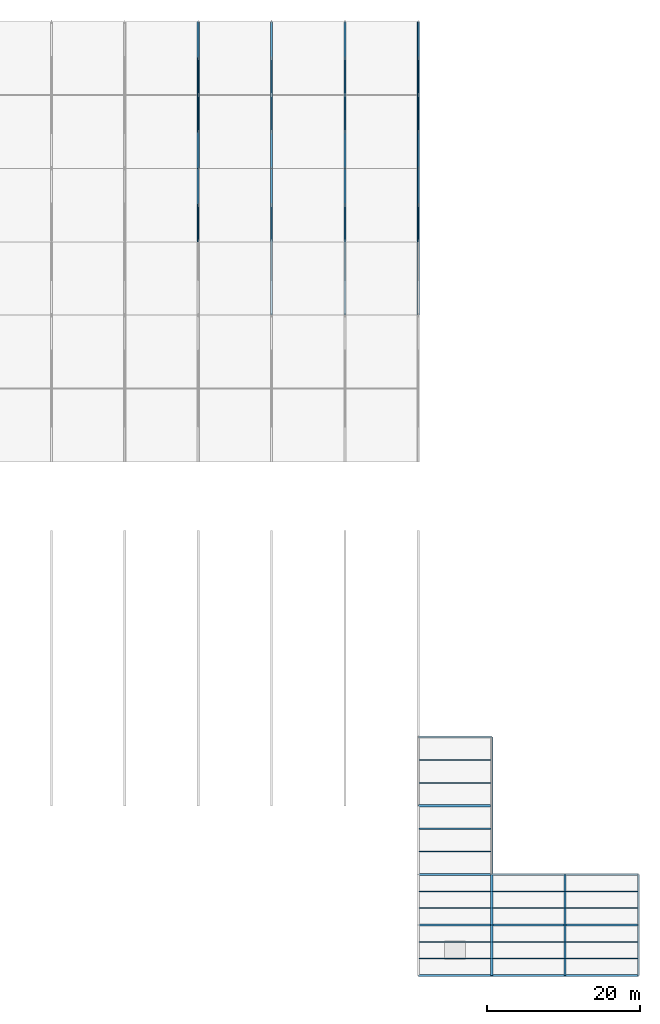
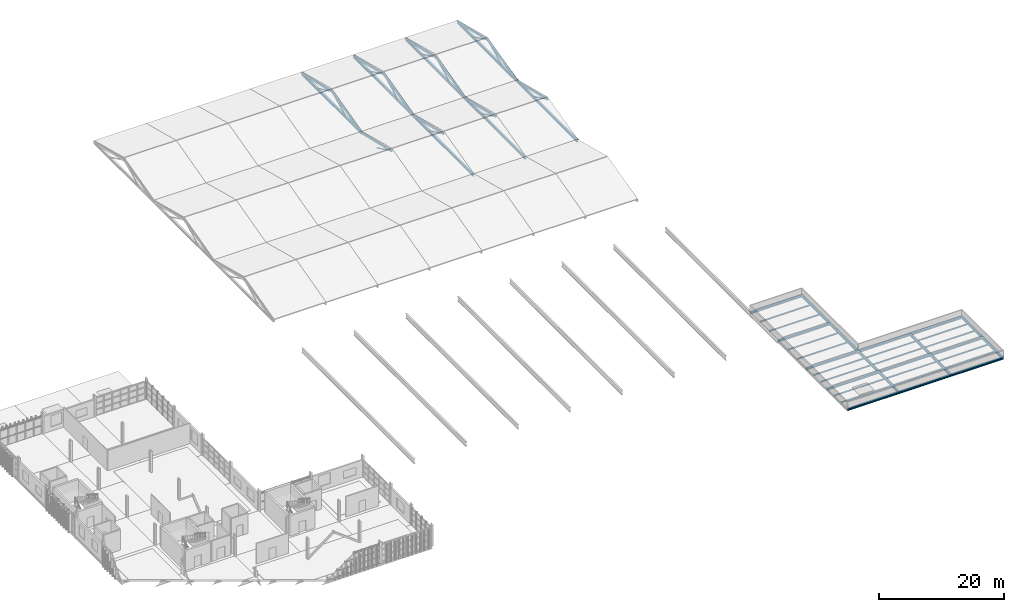
# One storey, part 16 of 52: 42 beams, 24 members.
"""IFC4 building model written with IfcOpenShell, lengths in metres."""

from ifc_helpers import new_model, si_unit, direction, frame, origin, origin_2d, place, context, subcontext, project, spatial, hollow_rectangle, hollow_circle, i_section, extrude, material, material_profile, profile_set, type_object, element, save


model = new_model("IFC4")

# Units and contexts
model_context = context("Model", 3, precision=1e-05, world=origin(), true_north=direction((0.0, 1.0)))
body_context = subcontext(model_context, "Body", "Model", "MODEL_VIEW")
ifc_project = project(units=[si_unit("LENGTHUNIT", "METRE"), si_unit("AREAUNIT", "SQUARE_METRE"), si_unit("VOLUMEUNIT", "CUBIC_METRE"), si_unit("PLANEANGLEUNIT", "RADIAN"), si_unit("MASSUNIT", "GRAM", prefix="KILO")], contexts=[model_context])

# Site, building, storey
site_placement = place(None, origin())
site = spatial("IfcSite", under=ifc_project, at=site_placement, CompositionType="ELEMENT")
building_placement = place(site_placement, origin())
building = spatial("IfcBuilding", under=site, at=building_placement, Name="Zarnetskaya Central Station", CompositionType="ELEMENT")
storey_placement = place(building_placement, frame((0.0, 0.0, 14.39990234375)))
storey = spatial("IfcBuildingStorey", under=building, at=storey_placement, Name="L03", CompositionType="ELEMENT", Elevation=14.39990234375)

# Beams
ifc_material = material(Name="Steel S355", Category="steel")
ifc_material_profile_1 = material_profile(ifc_material, i_section(OverallWidth=0.135009765625, OverallDepth=0.27001953125, WebThickness=0.006591796875, FlangeThickness=0.01025390625, FilletRadius=0.014892578125, at=origin_2d()), Name="IPE 270")
ifc_profile_set_1 = profile_set([ifc_material_profile_1], Name="Steel S355")
beam_type_1 = type_object("IfcBeamType", Name="BM-JST-270", PredefinedType="JOIST", material=ifc_profile_set_1)
for number, where, z_axis, x_axis, name in (
    (1, (124.8798828125, 2.199951171875, -0.344970703125), (1.0, 0.0, 0.0), (0.0, 1.0, 0.0), "Secondary floor beam SEC-L03-Z1419-PQ-12-1"),
    (2, (124.8798828125, 4.39990234375, -0.344970703125), (1.0, 0.0, 0.0), (0.0, 1.0, 0.0), "Secondary floor beam SEC-L03-Z1419-PQ-12-2"),
    (3, (124.8798828125, 8.800048828125, -0.344970703125), (1.0, 0.0, 0.0), (0.0, 1.0, 0.0), "Secondary floor beam SEC-L03-Z1419-PQ-23-1"),
    (4, (124.8798828125, 11.0, -0.344970703125), (1.0, 0.0, 0.0), (0.0, 1.0, 0.0), "Secondary floor beam SEC-L03-Z1419-PQ-23-2"),
    (5, (124.8798828125, 16.199951171875, -0.344970703125), (1.0, 0.0, 0.0), (0.0, 1.0, 0.0), "Secondary floor beam SEC-L03-Z1419-PQ-34-1"),
    (6, (124.8798828125, 19.199951171875, -0.344970703125), (1.0, 0.0, 0.0), (0.0, 1.0, 0.0), "Secondary floor beam SEC-L03-Z1419-PQ-34-2"),
    (7, (124.8798828125, 25.199951171875, -0.344970703125), (1.0, 0.0, 0.0), (0.0, 1.0, 0.0), "Secondary floor beam SEC-L03-Z1419-PQ-45-1"),
    (8, (124.8798828125, 28.199951171875, -0.344970703125), (1.0, 0.0, 0.0), (0.0, 1.0, 0.0), "Secondary floor beam SEC-L03-Z1419-PQ-45-2"),
):
    element("IfcBeam", number, at=place(storey_placement, frame(where, z_axis=z_axis, x_axis=x_axis)), inside=storey, type_object=beam_type_1, Name=name, PredefinedType="JOIST", context=body_context, shape_type="SweptSolid", body=[
        extrude(i_section(OverallWidth=0.135009765625, OverallDepth=0.27001953125, WebThickness=0.006591796875, FlangeThickness=0.01025390625, FilletRadius=0.014892578125, at=origin_2d()), origin(), (0.0, 0.0, 1.0), 9.440185546875),
    ])
for number, where, z_axis, x_axis, name in (
    (9, (134.47998046875, 2.199951171875, -0.344970703125), (1.0, 0.0, 0.0), (0.0, 1.0, 0.0), "Secondary floor beam SEC-L03-Z1419-QR-12-1"),
    (10, (134.47998046875, 4.39990234375, -0.344970703125), (1.0, 0.0, 0.0), (0.0, 1.0, 0.0), "Secondary floor beam SEC-L03-Z1419-QR-12-2"),
    (11, (134.47998046875, 8.800048828125, -0.344970703125), (1.0, 0.0, 0.0), (0.0, 1.0, 0.0), "Secondary floor beam SEC-L03-Z1419-QR-23-1"),
    (12, (134.47998046875, 11.0, -0.344970703125), (1.0, 0.0, 0.0), (0.0, 1.0, 0.0), "Secondary floor beam SEC-L03-Z1419-QR-23-2"),
    (13, (144.080078125, 2.199951171875, -0.344970703125), (1.0, 0.0, 0.0), (0.0, 1.0, 0.0), "Secondary floor beam SEC-L03-Z1419-RS-12-1"),
    (14, (144.080078125, 4.39990234375, -0.344970703125), (1.0, 0.0, 0.0), (0.0, 1.0, 0.0), "Secondary floor beam SEC-L03-Z1419-RS-12-2"),
    (15, (144.080078125, 8.800048828125, -0.344970703125), (1.0, 0.0, 0.0), (0.0, 1.0, 0.0), "Secondary floor beam SEC-L03-Z1419-RS-23-1"),
    (16, (144.080078125, 11.0, -0.344970703125), (1.0, 0.0, 0.0), (0.0, 1.0, 0.0), "Secondary floor beam SEC-L03-Z1419-RS-23-2"),
):
    element("IfcBeam", number, at=place(storey_placement, frame(where, z_axis=z_axis, x_axis=x_axis)), inside=storey, type_object=beam_type_1, Name=name, PredefinedType="JOIST", context=body_context, shape_type="SweptSolid", body=[
        extrude(i_section(OverallWidth=0.135009765625, OverallDepth=0.27001953125, WebThickness=0.006591796875, FlangeThickness=0.01025390625, FilletRadius=0.014892578125, at=origin_2d()), origin(), (0.0, 0.0, 1.0), 9.43994140625),
    ])
ifc_material_profile_2 = material_profile(ifc_material, i_section(OverallWidth=0.300048828125, OverallDepth=0.35009765625, WebThickness=0.010009765625, FlangeThickness=0.017578125, FilletRadius=0.027099609375, at=origin_2d()), Name="HEA 360")
ifc_profile_set_2 = profile_set([ifc_material_profile_2], Name="Steel S355")
beam_type_2 = type_object("IfcBeamType", Name="BM-SPN-EAVE", PredefinedType="SPANDREL", material=ifc_profile_set_2)
beam_1_placement = place(storey_placement, frame((124.800048828125, 0.0, -0.385009765625), z_axis=(1.0, 0.0, 0.0), x_axis=(0.0, 1.0, 0.0)))
element("IfcBeam", 17, at=beam_1_placement, inside=storey, type_object=beam_type_2, Name="Grid girder GX-L03-1-PQ", PredefinedType="SPANDREL", context=body_context, shape_type="SweptSolid", body=[
    extrude(i_section(OverallWidth=0.300048828125, OverallDepth=0.35009765625, WebThickness=0.010009765625, FlangeThickness=0.017578125, FilletRadius=0.027099609375, at=origin_2d()), origin(), (0.0, 0.0, 1.0), 9.599853515625),
])
for number, where, z_axis, x_axis, name in (
    (18, (134.39990234375, 0.0, -0.385009765625), (1.0, 0.0, 0.0), (0.0, 1.0, 0.0), "Grid girder GX-L03-1-QR"),
    (19, (144.0, 0.0, -0.385009765625), (1.0, 0.0, 0.0), (0.0, 1.0, 0.0), "Grid girder GX-L03-1-RS"),
):
    element("IfcBeam", number, at=place(storey_placement, frame(where, z_axis=z_axis, x_axis=x_axis)), inside=storey, type_object=beam_type_2, Name=name, PredefinedType="SPANDREL", context=body_context, shape_type="SweptSolid", body=[
        extrude(i_section(OverallWidth=0.300048828125, OverallDepth=0.35009765625, WebThickness=0.010009765625, FlangeThickness=0.017578125, FilletRadius=0.027099609375, at=origin_2d()), origin(), (0.0, 0.0, 1.0), 9.60009765625),
    ])
ifc_material_profile_3 = material_profile(ifc_material, i_section(OverallWidth=0.300048828125, OverallDepth=0.389892578125, WebThickness=0.010986328125, FlangeThickness=0.01904296875, FilletRadius=0.027099609375, at=origin_2d()), Name="HEA 400")
ifc_profile_set_3 = profile_set([ifc_material_profile_3], Name="Steel S355")
beam_type_3 = type_object("IfcBeamType", Name="GD-ROOF-400", PredefinedType="USERDEFINED", material=ifc_profile_set_3)
for number, where, z_axis, x_axis, name in (
    (20, (124.800048828125, 6.60009765625, -0.40478515625), (1.0, 0.0, 0.0), (0.0, 1.0, 0.0), "Grid girder GX-L03-2-PQ"),
    (21, (124.800048828125, 13.199951171875, -0.40478515625), (1.0, 0.0, 0.0), (0.0, 1.0, 0.0), "Grid girder GX-L03-3-PQ"),
    (22, (124.800048828125, 22.199951171875, -0.40478515625), (1.0, 0.0, 0.0), (0.0, 1.0, 0.0), "Grid girder GX-L03-4-PQ"),
    (23, (124.800048828125, 31.199951171875, -0.40478515625), (1.0, 0.0, 0.0), (0.0, 1.0, 0.0), "Grid girder GX-L03-5-PQ"),
):
    element("IfcBeam", number, at=place(storey_placement, frame(where, z_axis=z_axis, x_axis=x_axis)), inside=storey, type_object=beam_type_3, Name=name, ObjectType="GIRDER", PredefinedType="USERDEFINED", context=body_context, shape_type="SweptSolid", body=[
        extrude(i_section(OverallWidth=0.300048828125, OverallDepth=0.389892578125, WebThickness=0.010986328125, FlangeThickness=0.01904296875, FilletRadius=0.027099609375, at=origin_2d()), origin(), (0.0, 0.0, 1.0), 9.599853515625),
    ])
beam_2_placement = place(storey_placement, frame((134.39990234375, 0.0, -0.40478515625), z_axis=(0.0, 1.0, 0.0), x_axis=(-1.0, 0.0, 0.0)))
element("IfcBeam", 24, at=beam_2_placement, inside=storey, type_object=beam_type_3, Name="Grid girder GY-L03-Q-12", ObjectType="GIRDER", PredefinedType="USERDEFINED", context=body_context, shape_type="SweptSolid", body=[
    extrude(i_section(OverallWidth=0.300048828125, OverallDepth=0.389892578125, WebThickness=0.010986328125, FlangeThickness=0.01904296875, FilletRadius=0.027099609375, at=origin_2d()), origin(), (0.0, 0.0, 1.0), 6.60009765625),
])
beam_3_placement = place(storey_placement, frame((134.39990234375, 6.60009765625, -0.40478515625), z_axis=(0.0, 1.0, 0.0), x_axis=(-1.0, 0.0, 0.0)))
element("IfcBeam", 25, at=beam_3_placement, inside=storey, type_object=beam_type_3, Name="Grid girder GY-L03-Q-23", ObjectType="GIRDER", PredefinedType="USERDEFINED", context=body_context, shape_type="SweptSolid", body=[
    extrude(i_section(OverallWidth=0.300048828125, OverallDepth=0.389892578125, WebThickness=0.010986328125, FlangeThickness=0.01904296875, FilletRadius=0.027099609375, at=origin_2d()), origin(), (0.0, 0.0, 1.0), 6.599853515625),
])
beam_4_placement = place(storey_placement, frame((134.39990234375, 6.60009765625, -0.40478515625), z_axis=(1.0, 0.0, 0.0), x_axis=(0.0, 1.0, 0.0)))
element("IfcBeam", 26, at=beam_4_placement, inside=storey, type_object=beam_type_3, Name="Grid girder GX-L03-2-QR", ObjectType="GIRDER", PredefinedType="USERDEFINED", context=body_context, shape_type="SweptSolid", body=[
    extrude(i_section(OverallWidth=0.300048828125, OverallDepth=0.389892578125, WebThickness=0.010986328125, FlangeThickness=0.01904296875, FilletRadius=0.027099609375, at=origin_2d()), origin(), (0.0, 0.0, 1.0), 9.60009765625),
])
beam_5_placement = place(storey_placement, frame((134.39990234375, 13.199951171875, -0.40478515625), z_axis=(0.0, 1.0, 0.0), x_axis=(-1.0, 0.0, 0.0)))
element("IfcBeam", 27, at=beam_5_placement, inside=storey, type_object=beam_type_3, Name="Grid girder GY-L03-Q-34", ObjectType="GIRDER", PredefinedType="USERDEFINED", context=body_context, shape_type="SweptSolid", body=[
    extrude(i_section(OverallWidth=0.300048828125, OverallDepth=0.389892578125, WebThickness=0.010986328125, FlangeThickness=0.01904296875, FilletRadius=0.027099609375, at=origin_2d()), origin(), (0.0, 0.0, 1.0), 9.0),
])
beam_6_placement = place(storey_placement, frame((134.39990234375, 13.199951171875, -0.40478515625), z_axis=(1.0, 0.0, 0.0), x_axis=(0.0, 1.0, 0.0)))
element("IfcBeam", 28, at=beam_6_placement, inside=storey, type_object=beam_type_3, Name="Grid girder GX-L03-3-QR", ObjectType="GIRDER", PredefinedType="USERDEFINED", context=body_context, shape_type="SweptSolid", body=[
    extrude(i_section(OverallWidth=0.300048828125, OverallDepth=0.389892578125, WebThickness=0.010986328125, FlangeThickness=0.01904296875, FilletRadius=0.027099609375, at=origin_2d()), origin(), (0.0, 0.0, 1.0), 9.60009765625),
])
beam_7_placement = place(storey_placement, frame((134.39990234375, 22.199951171875, -0.40478515625), z_axis=(0.0, 1.0, 0.0), x_axis=(-1.0, 0.0, 0.0)))
element("IfcBeam", 29, at=beam_7_placement, inside=storey, type_object=beam_type_3, Name="Grid girder GY-L03-Q-45", ObjectType="GIRDER", PredefinedType="USERDEFINED", context=body_context, shape_type="SweptSolid", body=[
    extrude(i_section(OverallWidth=0.300048828125, OverallDepth=0.389892578125, WebThickness=0.010986328125, FlangeThickness=0.01904296875, FilletRadius=0.027099609375, at=origin_2d()), origin(), (0.0, 0.0, 1.0), 9.0),
])
beam_8_placement = place(storey_placement, frame((144.0, 0.0, -0.40478515625), z_axis=(0.0, 1.0, 0.0), x_axis=(-1.0, 0.0, 0.0)))
element("IfcBeam", 30, at=beam_8_placement, inside=storey, type_object=beam_type_3, Name="Grid girder GY-L03-R-12", ObjectType="GIRDER", PredefinedType="USERDEFINED", context=body_context, shape_type="SweptSolid", body=[
    extrude(i_section(OverallWidth=0.300048828125, OverallDepth=0.389892578125, WebThickness=0.010986328125, FlangeThickness=0.01904296875, FilletRadius=0.027099609375, at=origin_2d()), origin(), (0.0, 0.0, 1.0), 6.60009765625),
])
beam_9_placement = place(storey_placement, frame((144.0, 6.60009765625, -0.40478515625), z_axis=(0.0, 1.0, 0.0), x_axis=(-1.0, 0.0, 0.0)))
element("IfcBeam", 31, at=beam_9_placement, inside=storey, type_object=beam_type_3, Name="Grid girder GY-L03-R-23", ObjectType="GIRDER", PredefinedType="USERDEFINED", context=body_context, shape_type="SweptSolid", body=[
    extrude(i_section(OverallWidth=0.300048828125, OverallDepth=0.389892578125, WebThickness=0.010986328125, FlangeThickness=0.01904296875, FilletRadius=0.027099609375, at=origin_2d()), origin(), (0.0, 0.0, 1.0), 6.599853515625),
])
for number, where, z_axis, x_axis, name in (
    (32, (144.0, 6.60009765625, -0.40478515625), (1.0, 0.0, 0.0), (0.0, 1.0, 0.0), "Grid girder GX-L03-2-RS"),
    (33, (144.0, 13.199951171875, -0.40478515625), (1.0, 0.0, 0.0), (0.0, 1.0, 0.0), "Grid girder GX-L03-3-RS"),
):
    element("IfcBeam", number, at=place(storey_placement, frame(where, z_axis=z_axis, x_axis=x_axis)), inside=storey, type_object=beam_type_3, Name=name, ObjectType="GIRDER", PredefinedType="USERDEFINED", context=body_context, shape_type="SweptSolid", body=[
        extrude(i_section(OverallWidth=0.300048828125, OverallDepth=0.389892578125, WebThickness=0.010986328125, FlangeThickness=0.01904296875, FilletRadius=0.027099609375, at=origin_2d()), origin(), (0.0, 0.0, 1.0), 9.60009765625),
    ])
beam_10_placement = place(storey_placement, frame((153.60009765625, 0.0, -0.40478515625), z_axis=(0.0, 1.0, 0.0), x_axis=(-1.0, 0.0, 0.0)))
element("IfcBeam", 34, at=beam_10_placement, inside=storey, type_object=beam_type_3, Name="Grid girder GY-L03-S-12", ObjectType="GIRDER", PredefinedType="USERDEFINED", context=body_context, shape_type="SweptSolid", body=[
    extrude(i_section(OverallWidth=0.300048828125, OverallDepth=0.389892578125, WebThickness=0.010986328125, FlangeThickness=0.01904296875, FilletRadius=0.027099609375, at=origin_2d()), origin(), (0.0, 0.0, 1.0), 6.60009765625),
])
beam_11_placement = place(storey_placement, frame((153.60009765625, 6.60009765625, -0.40478515625), z_axis=(0.0, 1.0, 0.0), x_axis=(-1.0, 0.0, 0.0)))
element("IfcBeam", 35, at=beam_11_placement, inside=storey, type_object=beam_type_3, Name="Grid girder GY-L03-S-23", ObjectType="GIRDER", PredefinedType="USERDEFINED", context=body_context, shape_type="SweptSolid", body=[
    extrude(i_section(OverallWidth=0.300048828125, OverallDepth=0.389892578125, WebThickness=0.010986328125, FlangeThickness=0.01904296875, FilletRadius=0.027099609375, at=origin_2d()), origin(), (0.0, 0.0, 1.0), 6.599853515625),
])
ifc_material_profile_4 = material_profile(ifc_material, i_section(OverallWidth=0.300048828125, OverallDepth=0.489990234375, WebThickness=0.011962890625, FlangeThickness=0.02294921875, FilletRadius=0.027099609375, at=origin_2d()), Name="HEA 500")
ifc_profile_set_4 = profile_set([ifc_material_profile_4], Name="Steel S355")
beam_type_4 = type_object("IfcBeamType", Name="GD-SHED-500", PredefinedType="USERDEFINED", material=ifc_profile_set_4)
for number, where, z_axis, x_axis, name in (
    (36, (105.60009765625, 86.39990234375, -0.25), (0.0, 1.0, 0.0), (-1.0, 0.0, 0.0), "ROOF TRUSS SHED-SV2-06 tie beam"),
    (37, (115.199951171875, 86.39990234375, -0.25), (0.0, 1.0, 0.0), (-1.0, 0.0, 0.0), "ROOF TRUSS SHED-SV2-07 tie beam"),
    (38, (124.800048828125, 86.39990234375, -0.25), (0.0, 1.0, 0.0), (-1.0, 0.0, 0.0), "ROOF TRUSS SHED-SV2-08 tie beam"),
):
    element("IfcBeam", number, at=place(storey_placement, frame(where, z_axis=z_axis, x_axis=x_axis)), inside=storey, type_object=beam_type_4, Name=name, ObjectType="GIRDER", PredefinedType="USERDEFINED", context=body_context, shape_type="SweptSolid", body=[
        extrude(i_section(OverallWidth=0.300048828125, OverallDepth=0.489990234375, WebThickness=0.011962890625, FlangeThickness=0.02294921875, FilletRadius=0.027099609375, at=origin_2d()), origin(), (0.0, 0.0, 1.0), 19.2001953125),
    ])
for number, where, z_axis, x_axis, name in (
    (39, (96.0, 105.60009765625, -0.25), (0.0, 1.0, 0.0), (-1.0, 0.0, 0.0), "ROOF TRUSS SHED-SV3-05 tie beam"),
    (40, (105.60009765625, 105.60009765625, -0.25), (0.0, 1.0, 0.0), (-1.0, 0.0, 0.0), "ROOF TRUSS SHED-SV3-06 tie beam"),
    (41, (115.199951171875, 105.60009765625, -0.25), (0.0, 1.0, 0.0), (-1.0, 0.0, 0.0), "ROOF TRUSS SHED-SV3-07 tie beam"),
    (42, (124.800048828125, 105.60009765625, -0.25), (0.0, 1.0, 0.0), (-1.0, 0.0, 0.0), "ROOF TRUSS SHED-SV3-08 tie beam"),
):
    element("IfcBeam", number, at=place(storey_placement, frame(where, z_axis=z_axis, x_axis=x_axis)), inside=storey, type_object=beam_type_4, Name=name, ObjectType="GIRDER", PredefinedType="USERDEFINED", context=body_context, shape_type="SweptSolid", body=[
        extrude(i_section(OverallWidth=0.300048828125, OverallDepth=0.489990234375, WebThickness=0.011962890625, FlangeThickness=0.02294921875, FilletRadius=0.027099609375, at=origin_2d()), origin(), (0.0, 0.0, 1.0), 19.199951171875),
    ])

# Members
ifc_material_profile_5 = material_profile(ifc_material, hollow_rectangle(XDim=0.25, YDim=0.35009765625, WallThickness=0.01611328125, at=origin_2d()), Name="RHS 350x250x16")
ifc_profile_set_5 = profile_set([ifc_material_profile_5], Name="Steel S355")
member_type_1 = type_object("IfcMemberType", Name="MB-SHED-CHORD", PredefinedType="CHORD", material=ifc_profile_set_5)
for number, where, z_axis, x_axis, name in (
    (43, (96.0, 96.0, 2.050048828125), (0.0, 0.972478594308, -0.232992239382), (-1.0, 0.0, 0.0), "ROOF TRUSS SHED-SV2-05 north chord"),
    (44, (105.60009765625, 96.0, 2.050048828125), (0.0, 0.972478594308, -0.232992239382), (-1.0, 0.0, 0.0), "ROOF TRUSS SHED-SV2-06 north chord"),
    (45, (115.199951171875, 96.0, 2.050048828125), (0.0, 0.972478594308, -0.232992239382), (-1.0, 0.0, 0.0), "ROOF TRUSS SHED-SV2-07 north chord"),
    (46, (124.800048828125, 96.0, 2.050048828125), (0.0, 0.972478594308, -0.232992239382), (-1.0, 0.0, 0.0), "ROOF TRUSS SHED-SV2-08 north chord"),
):
    element("IfcMember", number, at=place(storey_placement, frame(where, z_axis=z_axis, x_axis=x_axis)), inside=storey, type_object=member_type_1, Name=name, PredefinedType="CHORD", context=body_context, shape_type="SweptSolid", body=[
        extrude(hollow_rectangle(XDim=0.25, YDim=0.35009765625, WallThickness=0.01611328125, at=origin_2d()), origin(), (0.0, 0.0, 1.0), 9.871826171875),
    ])
member_1_placement = place(storey_placement, frame((96.0, 105.60009765625, -0.25), z_axis=(0.0, 0.972477251719, 0.232997843098), x_axis=(-1.0, 0.0, 0.0)))
element("IfcMember", 47, at=member_1_placement, inside=storey, type_object=member_type_1, Name="ROOF TRUSS SHED-SV3-05 south chord", PredefinedType="CHORD", context=body_context, shape_type="SweptSolid", body=[
    extrude(hollow_rectangle(XDim=0.25, YDim=0.35009765625, WallThickness=0.01611328125, at=origin_2d()), origin(), (0.0, 0.0, 1.0), 9.87158203125),
])
member_2_placement = place(storey_placement, frame((96.0, 115.199951171875, 2.050048828125), z_axis=(0.0, 0.972478594308, -0.232992239382), x_axis=(-1.0, 0.0, 0.0)))
element("IfcMember", 48, at=member_2_placement, inside=storey, type_object=member_type_1, Name="ROOF TRUSS SHED-SV3-05 north chord", PredefinedType="CHORD", context=body_context, shape_type="SweptSolid", body=[
    extrude(hollow_rectangle(XDim=0.25, YDim=0.35009765625, WallThickness=0.01611328125, at=origin_2d()), origin(), (0.0, 0.0, 1.0), 9.871826171875),
])
member_3_placement = place(storey_placement, frame((105.60009765625, 105.60009765625, -0.25), z_axis=(0.0, 0.972477251719, 0.232997843098), x_axis=(-1.0, 0.0, 0.0)))
element("IfcMember", 49, at=member_3_placement, inside=storey, type_object=member_type_1, Name="ROOF TRUSS SHED-SV3-06 south chord", PredefinedType="CHORD", context=body_context, shape_type="SweptSolid", body=[
    extrude(hollow_rectangle(XDim=0.25, YDim=0.35009765625, WallThickness=0.01611328125, at=origin_2d()), origin(), (0.0, 0.0, 1.0), 9.87158203125),
])
member_4_placement = place(storey_placement, frame((105.60009765625, 115.199951171875, 2.050048828125), z_axis=(0.0, 0.972478594308, -0.232992239382), x_axis=(-1.0, 0.0, 0.0)))
element("IfcMember", 50, at=member_4_placement, inside=storey, type_object=member_type_1, Name="ROOF TRUSS SHED-SV3-06 north chord", PredefinedType="CHORD", context=body_context, shape_type="SweptSolid", body=[
    extrude(hollow_rectangle(XDim=0.25, YDim=0.35009765625, WallThickness=0.01611328125, at=origin_2d()), origin(), (0.0, 0.0, 1.0), 9.871826171875),
])
member_5_placement = place(storey_placement, frame((115.199951171875, 105.60009765625, -0.25), z_axis=(0.0, 0.972477251719, 0.232997843098), x_axis=(-1.0, 0.0, 0.0)))
element("IfcMember", 51, at=member_5_placement, inside=storey, type_object=member_type_1, Name="ROOF TRUSS SHED-SV3-07 south chord", PredefinedType="CHORD", context=body_context, shape_type="SweptSolid", body=[
    extrude(hollow_rectangle(XDim=0.25, YDim=0.35009765625, WallThickness=0.01611328125, at=origin_2d()), origin(), (0.0, 0.0, 1.0), 9.87158203125),
])
member_6_placement = place(storey_placement, frame((115.199951171875, 115.199951171875, 2.050048828125), z_axis=(0.0, 0.972478594308, -0.232992239382), x_axis=(-1.0, 0.0, 0.0)))
element("IfcMember", 52, at=member_6_placement, inside=storey, type_object=member_type_1, Name="ROOF TRUSS SHED-SV3-07 north chord", PredefinedType="CHORD", context=body_context, shape_type="SweptSolid", body=[
    extrude(hollow_rectangle(XDim=0.25, YDim=0.35009765625, WallThickness=0.01611328125, at=origin_2d()), origin(), (0.0, 0.0, 1.0), 9.871826171875),
])
member_7_placement = place(storey_placement, frame((124.800048828125, 105.60009765625, -0.25), z_axis=(0.0, 0.972477251719, 0.232997843098), x_axis=(-1.0, 0.0, 0.0)))
element("IfcMember", 53, at=member_7_placement, inside=storey, type_object=member_type_1, Name="ROOF TRUSS SHED-SV3-08 south chord", PredefinedType="CHORD", context=body_context, shape_type="SweptSolid", body=[
    extrude(hollow_rectangle(XDim=0.25, YDim=0.35009765625, WallThickness=0.01611328125, at=origin_2d()), origin(), (0.0, 0.0, 1.0), 9.87158203125),
])
member_8_placement = place(storey_placement, frame((124.800048828125, 115.199951171875, 2.050048828125), z_axis=(0.0, 0.972478594308, -0.232992239382), x_axis=(-1.0, 0.0, 0.0)))
element("IfcMember", 54, at=member_8_placement, inside=storey, type_object=member_type_1, Name="ROOF TRUSS SHED-SV3-08 north chord", PredefinedType="CHORD", context=body_context, shape_type="SweptSolid", body=[
    extrude(hollow_rectangle(XDim=0.25, YDim=0.35009765625, WallThickness=0.01611328125, at=origin_2d()), origin(), (0.0, 0.0, 1.0), 9.871826171875),
])
ifc_material_profile_6 = material_profile(ifc_material, hollow_circle(Radius=0.109619140625, WallThickness=0.010009765625, at=origin_2d()), Name="CHS 219.1x10")
ifc_profile_set_6 = profile_set([ifc_material_profile_6], Name="Steel S355")
member_type_2 = type_object("IfcMemberType", Name="MB-SHED-DIAG", PredefinedType="BRACE", material=ifc_profile_set_6)
for number, where, z_axis, x_axis, name in (
    (55, (96.0, 100.800048828125, -0.25), (0.0, -0.901814166789, 0.432124066188), (1.0, 0.0, 0.0), "ROOF TRUSS SHED-SV2-05 web 2"),
    (56, (105.60009765625, 100.800048828125, -0.25), (0.0, -0.901814166789, 0.432124066188), (1.0, 0.0, 0.0), "ROOF TRUSS SHED-SV2-06 web 2"),
    (57, (115.199951171875, 100.800048828125, -0.25), (0.0, -0.901814166789, 0.432124066188), (1.0, 0.0, 0.0), "ROOF TRUSS SHED-SV2-07 web 2"),
    (58, (124.800048828125, 100.800048828125, -0.25), (0.0, -0.901814166789, 0.432124066188), (1.0, 0.0, 0.0), "ROOF TRUSS SHED-SV2-08 web 2"),
    (59, (96.0, 110.39990234375, -0.25), (0.0, 0.901814166789, 0.432124066188), (-1.0, 0.0, 0.0), "ROOF TRUSS SHED-SV3-05 web 1"),
    (60, (96.0, 120.0, -0.25), (0.0, -0.901814166789, 0.432124066188), (1.0, 0.0, 0.0), "ROOF TRUSS SHED-SV3-05 web 2"),
    (61, (105.60009765625, 110.39990234375, -0.25), (0.0, 0.901814166789, 0.432124066188), (-1.0, 0.0, 0.0), "ROOF TRUSS SHED-SV3-06 web 1"),
    (62, (105.60009765625, 120.0, -0.25), (0.0, -0.901814166789, 0.432124066188), (1.0, 0.0, 0.0), "ROOF TRUSS SHED-SV3-06 web 2"),
    (63, (115.199951171875, 110.39990234375, -0.25), (0.0, 0.901814166789, 0.432124066188), (-1.0, 0.0, 0.0), "ROOF TRUSS SHED-SV3-07 web 1"),
    (64, (115.199951171875, 120.0, -0.25), (0.0, -0.901814166789, 0.432124066188), (1.0, 0.0, 0.0), "ROOF TRUSS SHED-SV3-07 web 2"),
    (65, (124.800048828125, 110.39990234375, -0.25), (0.0, 0.901814166789, 0.432124066188), (-1.0, 0.0, 0.0), "ROOF TRUSS SHED-SV3-08 web 1"),
    (66, (124.800048828125, 120.0, -0.25), (0.0, -0.901814166789, 0.432124066188), (1.0, 0.0, 0.0), "ROOF TRUSS SHED-SV3-08 web 2"),
):
    element("IfcMember", number, at=place(storey_placement, frame(where, z_axis=z_axis, x_axis=x_axis)), inside=storey, type_object=member_type_2, Name=name, PredefinedType="BRACE", context=body_context, shape_type="SweptSolid", body=[
        extrude(hollow_circle(Radius=0.109619140625, WallThickness=0.010009765625, at=origin_2d()), origin(), (0.0, 0.0, 1.0), 5.32275390625),
    ])

save(model, "model.ifc")
